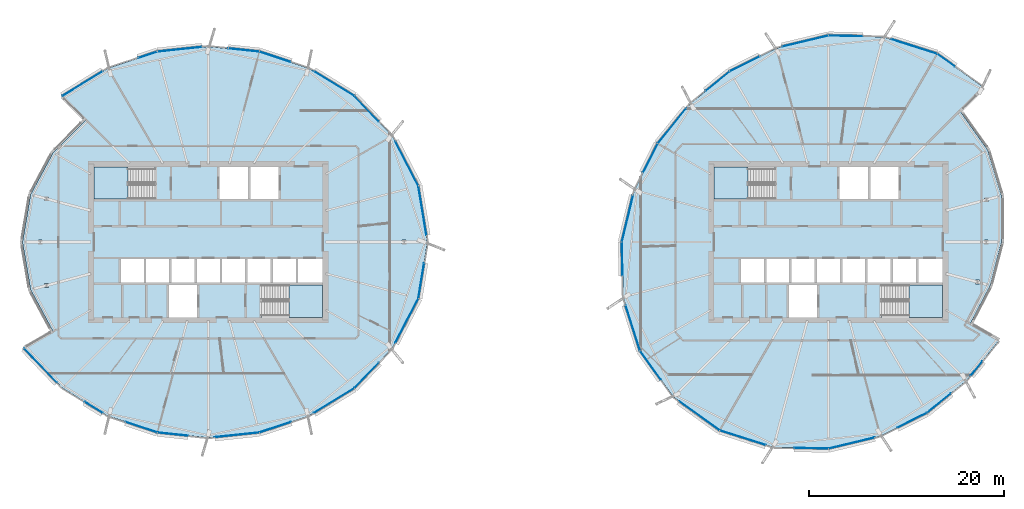
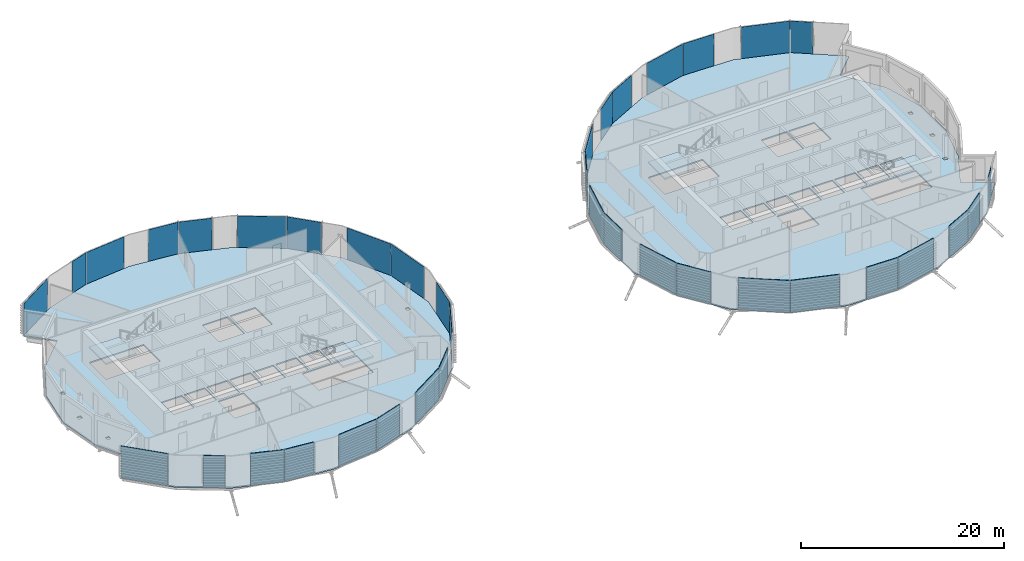
# One storey, part 18 of 37: 38 plates, 6 slabs, 6 elements without a shape of their own.
"""IFC4 building model written with IfcOpenShell, lengths in metres."""

import ifcopenshell
import ifcopenshell.guid

model = None  # the IFC model being written
_history = None  # IfcOwnerHistory: only IFC2X3 demands one
_inside = {}  # id of a spatial element -> (the spatial element, [elements in it])
_under = {}  # id of a project, library or spatial element -> (it, [spatial elements below it])
_declared = {}  # id of a project -> (the project, [libraries it declares])
_typed = {}  # id of a type object -> (the type object, [elements of that type])
_made_of = {}  # id of a material, layer set ... -> (it, [elements and type objects made of it])


def new_model(schema):
    """Start an empty IFC model of exactly this schema.

    Asked for "IFC4X3", IfcOpenShell would pick the latest addendum, in which some entities
    have other attributes; the version numbers below select the first issue.
    IFC2X3 requires an IfcOwnerHistory on every rooted entity: one is made here for all.
    """
    global model, _history
    if schema == "IFC4X3":
        model = ifcopenshell.file(schema_version=(4, 3, 0, 0))
    else:
        model = ifcopenshell.file(schema=schema)
    _inside.clear()
    _under.clear()
    _declared.clear()
    _typed.clear()
    _made_of.clear()
    _history = None
    if model.schema == "IFC2X3":
        org = make("IfcOrganization", Name="unknown")
        user = make(
            "IfcPersonAndOrganization",
            ThePerson=make("IfcPerson", FamilyName="unknown"),
            TheOrganization=org,
        )
        app = make(
            "IfcApplication",
            ApplicationDeveloper=org,
            Version="unknown",
            ApplicationFullName="unknown",
            ApplicationIdentifier="unknown",
        )
        _history = make(
            "IfcOwnerHistory",
            OwningUser=user,
            OwningApplication=app,
            ChangeAction="ADDED",
            CreationDate=0,
        )
    return model


def make(cls, **values):
    """One entity of the class cls with the attributes given. An attribute that is None is left unset."""
    return model.create_entity(
        cls, **{name: value for name, value in values.items() if value is not None}
    )


def rooted(cls, **values):
    """An entity with a GlobalId (a new one), such as an element, a storey or a relation."""
    return make(cls, GlobalId=ifcopenshell.guid.new(), OwnerHistory=_history, **values)


def si_unit(unit_type, name, prefix=None):
    """IfcSIUnit, for example si_unit("LENGTHUNIT", "METRE", prefix="MILLI")."""
    return make("IfcSIUnit", UnitType=unit_type, Prefix=prefix, Name=name)


def assignment(units):
    """IfcUnitAssignment: the units of a project."""
    return None if units is None else make("IfcUnitAssignment", Units=units)


def point(xyz):
    """IfcCartesianPoint."""
    return None if xyz is None else make("IfcCartesianPoint", Coordinates=xyz)


def direction(xyz):
    """IfcDirection."""
    return None if xyz is None else make("IfcDirection", DirectionRatios=xyz)


def frame(location, z_axis=None, x_axis=None):
    """IfcAxis2Placement3D, a coordinate frame: its origin and axes. An axis left out is left unset."""
    return make(
        "IfcAxis2Placement3D",
        Location=point(location),
        Axis=direction(z_axis),
        RefDirection=direction(x_axis),
    )


def frame_2d(location, x_axis=None):
    """IfcAxis2Placement2D, a coordinate frame in the plane: its origin and x axis."""
    return make(
        "IfcAxis2Placement2D", Location=point(location), RefDirection=direction(x_axis)
    )


def origin():
    """The frame at (0, 0, 0) with its axes left unset."""
    return frame((0.0, 0.0, 0.0))


def origin_2d():
    """The frame at (0, 0) in the plane with its x axis left unset."""
    return frame_2d((0.0, 0.0))


def place(relative_to, where):
    """IfcLocalPlacement: puts the frame where relative to a parent placement (None: the world)."""
    return make(
        "IfcLocalPlacement", PlacementRelTo=relative_to, RelativePlacement=where
    )


def context(
    kind, dimensions, precision=None, world=None, true_north=None, identifier=None
):
    """IfcGeometricRepresentationContext, for example the 3D "Model" context."""
    return make(
        "IfcGeometricRepresentationContext",
        ContextIdentifier=identifier,
        ContextType=kind,
        CoordinateSpaceDimension=dimensions,
        Precision=precision,
        WorldCoordinateSystem=world,
        TrueNorth=true_north,
    )


def subcontext(parent, identifier, kind, view, scale=None):
    """IfcGeometricRepresentationSubContext, for example "Body" below "Model"."""
    return make(
        "IfcGeometricRepresentationSubContext",
        ContextIdentifier=identifier,
        ContextType=kind,
        ParentContext=parent,
        TargetScale=scale,
        TargetView=view,
    )


def project(units=None, contexts=None):
    """IfcProject with its units and contexts."""
    return rooted(
        "IfcProject",
        Name="project",
        RepresentationContexts=contexts,
        UnitsInContext=assignment(units),
    )


def spatial(cls, under=None, at=None, **own):
    """A site, building, storey or space (cls), placed at a placement, below another one or the project."""
    s = rooted(cls, ObjectPlacement=at, **own)
    if under is not None:
        _under.setdefault(under.id(), (under, []))[1].append(s)
    return s


def polyline(points):
    """IfcPolyline through the points."""
    return make("IfcPolyline", Points=[point(p) for p in points])


def profile(cls, at=None, kind="AREA", **sizes):
    """A parametric profile (cls). Its sizes go by their IFC names, for example OverallWidth=200.0."""
    return make(cls, ProfileType=kind, Position=at, **sizes)


def rectangle(**sizes):
    """IfcRectangleProfileDef."""
    return profile("IfcRectangleProfileDef", **sizes)


def outline(outer, holes=None, kind="AREA"):
    """IfcArbitraryClosedProfileDef: a profile drawn as a closed curve; with holes, ...WithVoids."""
    if holes is None:
        return make("IfcArbitraryClosedProfileDef", ProfileType=kind, OuterCurve=outer)
    return make(
        "IfcArbitraryProfileDefWithVoids",
        ProfileType=kind,
        OuterCurve=outer,
        InnerCurves=holes,
    )


def extrude(swept, where, along, depth):
    """IfcExtrudedAreaSolid: the profile swept, set in the frame where, extruded along a direction by depth."""
    return make(
        "IfcExtrudedAreaSolid",
        SweptArea=swept,
        Position=where,
        ExtrudedDirection=direction(along),
        Depth=depth,
    )


def shape(context_of_items, identifier, shape_type, items):
    """IfcShapeRepresentation: the items that make up one representation, for example the "Body"."""
    return make(
        "IfcShapeRepresentation",
        ContextOfItems=context_of_items,
        RepresentationIdentifier=identifier,
        RepresentationType=shape_type,
        Items=items,
    )


def material(Name=None, Category=None):
    """IfcMaterial."""
    return make("IfcMaterial", Name=Name, Category=Category)


def layer(
    of_material, thickness, ventilated=None, Name=None, Category=None, Priority=None
):
    """IfcMaterialLayer: one layer of a wall or slab, of a material (None: an air gap)."""
    return make(
        "IfcMaterialLayer",
        Material=of_material,
        LayerThickness=thickness,
        IsVentilated=ventilated,
        Name=Name,
        Category=Category,
        Priority=Priority,
    )


def layer_set(layers, Name=None):
    """IfcMaterialLayerSet."""
    return make("IfcMaterialLayerSet", MaterialLayers=layers, LayerSetName=Name)


def made_of(thing, what):
    """Note that an element or type object is made of a material, layer set ...; save() writes the relation."""
    if what is not None:
        _made_of.setdefault(what.id(), (what, []))[1].append(thing)
    return thing


def type_object(cls, material=None, **own):
    """A type object (cls), such as IfcWallType, which elements share."""
    return made_of(rooted(cls, **own), material)


def element(
    cls,
    number,
    at=None,
    inside=None,
    cuts=None,
    type_object=None,
    material=None,
    context=None,
    identifier="Body",
    shape_type=None,
    held_by="IfcProductDefinitionShape",
    body=None,
    shapes=None,
    **own,
):
    """One element of the class cls, such as IfcWall. Its Tag is "e" and its number.

    at: its placement. inside: the storey or other place that contains it. cuts: it is an
    opening in that element (IfcRelVoidsElement). A single representation is given by context,
    identifier, shape_type and body (its items); several are given by shapes. held_by: the class
    of the entity that holds the representations. save() writes the other relations.
    """
    e = rooted(cls, Tag="e%d" % number, ObjectPlacement=at, **own)
    if body is not None:
        shapes = [shape(context, identifier, shape_type, body)]
    if shapes is not None:
        e.Representation = make(held_by, Representations=shapes)
    if inside is not None:
        _inside.setdefault(inside.id(), (inside, []))[1].append(e)
    if cuts is not None:
        rooted(
            "IfcRelVoidsElement", RelatingBuildingElement=cuts, RelatedOpeningElement=e
        )
    if type_object is not None:
        _typed.setdefault(type_object.id(), (type_object, []))[1].append(e)
    return made_of(e, material)


def aggregate(whole, parts):
    """IfcRelAggregates: a whole, such as a stair, and the parts it consists of."""
    return rooted("IfcRelAggregates", RelatingObject=whole, RelatedObjects=parts)


def save(model, path):
    """Write the relations noted so far, then the file.

    IfcRelAggregates (storeys below a building ...), IfcRelContainedInSpatialStructure (elements
    in a storey), IfcRelDefinesByType, IfcRelAssociatesMaterial and IfcRelDeclares: one each for
    every whole, place, type object, material and project.
    """
    for whole, parts in _under.values():
        aggregate(whole, parts)
    for where, things in _inside.values():
        rooted(
            "IfcRelContainedInSpatialStructure",
            RelatedElements=things,
            RelatingStructure=where,
        )
    for kind, things in _typed.values():
        rooted("IfcRelDefinesByType", RelatedObjects=things, RelatingType=kind)
    for what, things in _made_of.values():
        rooted("IfcRelAssociatesMaterial", RelatedObjects=things, RelatingMaterial=what)
    for by, libraries in _declared.values():
        rooted("IfcRelDeclares", RelatingContext=by, RelatedDefinitions=libraries)
    model.write(path)


model = new_model("IFC4")

# Units and contexts
model_context = context("Model", 3, precision=1e-05, world=origin(), true_north=direction((0.0, 1.0)))
body_context = subcontext(model_context, "Body", "Model", "MODEL_VIEW")
ifc_project = project(units=[si_unit("LENGTHUNIT", "METRE"), si_unit("AREAUNIT", "SQUARE_METRE"), si_unit("VOLUMEUNIT", "CUBIC_METRE"), si_unit("PLANEANGLEUNIT", "RADIAN"), si_unit("MASSUNIT", "GRAM", prefix="KILO")], contexts=[model_context])

# Site, building, storey
site_placement = place(None, origin())
site = spatial("IfcSite", under=ifc_project, at=site_placement, CompositionType="ELEMENT")
building_placement = place(site_placement, origin())
building = spatial("IfcBuilding", under=site, at=building_placement, Name="Rimbun Link Towers", CompositionType="ELEMENT")
storey_placement = place(building_placement, frame((0.0, 0.0, 162.699951171875)))
storey = spatial("IfcBuildingStorey", under=building, at=storey_placement, Name="L39", CompositionType="ELEMENT", Elevation=162.699951171875)

# Slabs
ifc_material_1 = material(Name="Concrete C35/45", Category="concrete")
ifc_layer_1 = layer(ifc_material_1, 0.14990234375)
ifc_layer_set_1 = layer_set([ifc_layer_1], Name="COMPOSITE FLOOR 150")
slab_type_1 = type_object("IfcSlabType", Name="COMPOSITE FLOOR 150", PredefinedType="FLOOR", material=ifc_layer_set_1)
slab_1_placement = place(storey_placement, frame((0.0, 0.0, -0.14990234375)))
element("IfcSlab", 1, at=slab_1_placement, inside=storey, type_object=slab_type_1, Name="Floor slab T1 L39", PredefinedType="FLOOR", context=body_context, shape_type="SweptSolid", body=[
    extrude(outline(polyline([(-42.030029296875, 17.8056640625), (-36.97021484375, 19.482421875), (-31.75, 20.031982421875), (-26.52978515625, 19.482421875), (-21.469970703125, 17.8056640625), (-16.807373046875, 14.942626953125), (-12.909912109375, 10.87744140625), (-10.2607421875, 5.758056640625), (-9.31396484375, 0.0), (-10.2607421875, -5.758056640625), (-12.909912109375, -10.87744140625), (-16.807373046875, -14.942626953125), (-21.469970703125, -17.8056640625), (-26.52978515625, -19.482421875), (-31.75, -20.031982421875), (-36.97021484375, -19.482421875), (-42.030029296875, -17.8056640625), (-46.692626953125, -14.942626953125), (-50.590087890625, -10.87744140625), (-47.645751953125, -9.177490234375), (-49.955078125, -4.8779296875), (-50.785888671875, 0.0), (-49.955078125, 4.8779296875), (-47.645751953125, 9.177490234375), (-44.28857421875, 12.53857421875), (-46.692626953125, 14.942626953125), (-42.030029296875, 17.8056640625)]), holes=[polyline([(-32.89990234375, -7.699951171875), (-32.89990234375, -4.39990234375), (-35.800048828125, -4.39990234375), (-35.800048828125, -7.699951171875), (-32.89990234375, -7.699951171875)]), polyline([(-48.118896484375, -4.63623046875), (-48.118896484375, -4.24267578125), (-48.517822265625, -4.24267578125), (-48.517822265625, -4.63623046875), (-48.118896484375, -4.63623046875)]), polyline([(-38.361083984375, -4.14990234375), (-38.361083984375, -1.75), (-40.70556640625, -1.75), (-40.70556640625, -4.14990234375), (-38.361083984375, -4.14990234375)]), polyline([(-35.7666015625, -4.14990234375), (-35.7666015625, -1.75), (-38.111083984375, -1.75), (-38.111083984375, -4.14990234375), (-35.7666015625, -4.14990234375)]), polyline([(-33.172119140625, -4.14990234375), (-33.172119140625, -1.75), (-35.5166015625, -1.75), (-35.5166015625, -4.14990234375), (-33.172119140625, -4.14990234375)]), polyline([(-30.577880859375, -4.14990234375), (-30.577880859375, -1.75), (-32.922119140625, -1.75), (-32.922119140625, -4.14990234375), (-30.577880859375, -4.14990234375)]), polyline([(-48.7646484375, -0.19677734375), (-48.7646484375, 0.19677734375), (-49.163818359375, 0.19677734375), (-49.163818359375, -0.19677734375), (-48.7646484375, -0.19677734375)]), polyline([(-48.118896484375, 4.24267578125), (-48.118896484375, 4.63623046875), (-48.517822265625, 4.63623046875), (-48.517822265625, 4.24267578125), (-48.118896484375, 4.24267578125)]), polyline([(-37.260009765625, 4.39990234375), (-37.260009765625, 7.699951171875), (-43.449951171875, 7.699951171875), (-43.449951171875, 4.39990234375), (-37.260009765625, 4.39990234375)]), polyline([(-20.050048828125, -7.699951171875), (-20.050048828125, -4.39990234375), (-26.239990234375, -4.39990234375), (-26.239990234375, -7.699951171875), (-20.050048828125, -7.699951171875)]), polyline([(-27.9833984375, -4.14990234375), (-27.9833984375, -1.75), (-30.327880859375, -1.75), (-30.327880859375, -4.14990234375), (-27.9833984375, -4.14990234375)]), polyline([(-25.388916015625, -4.14990234375), (-25.388916015625, -1.75), (-27.7333984375, -1.75), (-27.7333984375, -4.14990234375), (-25.388916015625, -4.14990234375)]), polyline([(-22.79443359375, -4.14990234375), (-22.79443359375, -1.75), (-25.138916015625, -1.75), (-25.138916015625, -4.14990234375), (-22.79443359375, -4.14990234375)]), polyline([(-20.050048828125, -4.14990234375), (-20.050048828125, -1.75), (-22.54443359375, -1.75), (-22.54443359375, -4.14990234375), (-20.050048828125, -4.14990234375)]), polyline([(-11.492919921875, -0.19677734375), (-11.492919921875, 0.19677734375), (-11.891845703125, 0.19677734375), (-11.891845703125, -0.19677734375), (-11.492919921875, -0.19677734375)]), polyline([(-30.60009765625, 4.39990234375), (-27.699951171875, 4.39990234375), (-27.699951171875, 7.699951171875), (-30.60009765625, 7.699951171875), (-30.60009765625, 4.39990234375)]), polyline([(-27.449951171875, 4.39990234375), (-24.550048828125, 4.39990234375), (-24.550048828125, 7.699951171875), (-27.449951171875, 7.699951171875), (-27.449951171875, 4.39990234375)])]), origin(), (0.0, 0.0, 1.0), 0.14990234375),
])
slab_2_placement = place(storey_placement, frame((0.0, 0.0, -0.14990234375)))
element("IfcSlab", 2, at=slab_2_placement, inside=storey, type_object=slab_type_1, Name="Floor slab T2 L39", PredefinedType="FLOOR", context=body_context, shape_type="SweptSolid", body=[
    extrude(outline(polyline([(45.914794921875, -14.164794921875), (41.834716796875, -17.46728515625), (37.0712890625, -19.859619140625), (31.75, -21.132080078125), (26.119384765625, -21.013671875), (20.62646484375, -19.2666015625), (15.885498046875, -15.864501953125), (12.4833984375, -11.12353515625), (10.736328125, -5.630615234375), (10.617919921875, 0.0), (11.890380859375, 5.3212890625), (14.28271484375, 10.084716796875), (17.585205078125, 14.164794921875), (21.665283203125, 17.46728515625), (26.4287109375, 19.859619140625), (31.75, 21.132080078125), (37.380615234375, 21.013671875), (42.87353515625, 19.2666015625), (47.614501953125, 15.864501953125), (45.21044921875, 13.46044921875), (48.072265625, 9.423583984375), (49.4794921875, 4.75048828125), (49.482177734375, 0.0), (48.325439453125, -4.44140625), (46.27294921875, -8.384765625), (49.21728515625, -10.084716796875), (45.914794921875, -14.164794921875)]), holes=[polyline([(30.60009765625, -7.699951171875), (30.60009765625, -4.39990234375), (27.699951171875, -4.39990234375), (27.699951171875, -7.699951171875), (30.60009765625, -7.699951171875)]), polyline([(25.138916015625, -4.14990234375), (25.138916015625, -1.75), (22.79443359375, -1.75), (22.79443359375, -4.14990234375), (25.138916015625, -4.14990234375)]), polyline([(27.7333984375, -4.14990234375), (27.7333984375, -1.75), (25.388916015625, -1.75), (25.388916015625, -4.14990234375), (27.7333984375, -4.14990234375)]), polyline([(30.327880859375, -4.14990234375), (30.327880859375, -1.75), (27.9833984375, -1.75), (27.9833984375, -4.14990234375), (30.327880859375, -4.14990234375)]), polyline([(32.922119140625, -4.14990234375), (32.922119140625, -1.75), (30.577880859375, -1.75), (30.577880859375, -4.14990234375), (32.922119140625, -4.14990234375)]), polyline([(35.5166015625, -4.14990234375), (35.5166015625, -1.75), (33.172119140625, -1.75), (33.172119140625, -4.14990234375), (35.5166015625, -4.14990234375)]), polyline([(26.239990234375, 4.39990234375), (26.239990234375, 7.699951171875), (20.050048828125, 7.699951171875), (20.050048828125, 4.39990234375), (26.239990234375, 4.39990234375)]), polyline([(35.800048828125, 4.39990234375), (35.800048828125, 7.699951171875), (32.89990234375, 7.699951171875), (32.89990234375, 4.39990234375), (35.800048828125, 4.39990234375)]), polyline([(43.449951171875, -7.699951171875), (43.449951171875, -4.39990234375), (37.260009765625, -4.39990234375), (37.260009765625, -7.699951171875), (43.449951171875, -7.699951171875)]), polyline([(47.214599609375, -4.287109375), (47.214599609375, -3.8935546875), (46.815673828125, -3.8935546875), (46.815673828125, -4.287109375), (47.214599609375, -4.287109375)]), polyline([(38.111083984375, -4.14990234375), (38.111083984375, -1.75), (35.7666015625, -1.75), (35.7666015625, -4.14990234375), (38.111083984375, -4.14990234375)]), polyline([(40.70556640625, -4.14990234375), (40.70556640625, -1.75), (38.361083984375, -1.75), (38.361083984375, -4.14990234375), (40.70556640625, -4.14990234375)]), polyline([(43.449951171875, -4.14990234375), (43.449951171875, -1.75), (40.95556640625, -1.75), (40.95556640625, -4.14990234375), (43.449951171875, -4.14990234375)]), polyline([(48.1162109375, -0.19677734375), (48.1162109375, 0.19677734375), (47.71728515625, 0.19677734375), (47.71728515625, -0.19677734375), (48.1162109375, -0.19677734375)]), polyline([(48.135498046875, 4.140380859375), (48.135498046875, 4.533935546875), (47.736572265625, 4.533935546875), (47.736572265625, 4.140380859375), (48.135498046875, 4.140380859375)]), polyline([(38.949951171875, 4.39990234375), (38.949951171875, 7.699951171875), (36.050048828125, 7.699951171875), (36.050048828125, 4.39990234375), (38.949951171875, 4.39990234375)])]), origin(), (0.0, 0.0, 1.0), 0.14990234375),
])

# Curtain wall, plates
ifc_material_2 = material(Name="Aluminium 6063-T6 and low-iron glass", Category="aluminium")
curtain_wall_type = type_object("IfcCurtainWallType", Name="CW1-Z3 unitised vision wall (zone 3)", PredefinedType="NOTDEFINED", material=ifc_material_2)
curtain_wall_1_placement = place(storey_placement, origin())
curtain_wall_1 = element("IfcCurtainWall", 3, at=curtain_wall_1_placement, inside=storey, type_object=curtain_wall_type, Name="CW1 L39 T1", PredefinedType="NOTDEFINED")
ifc_material_3 = material(Name="Low-iron glass, laminated low-e unit", Category="glass")
ifc_layer_2 = layer(ifc_material_3, 0.028076171875)
ifc_layer_set_2 = layer_set([ifc_layer_2], Name="CW1 panel Low-iron glass 28")
plate_type = type_object("IfcPlateType", Name="CW1 panel Low-iron glass 28", PredefinedType="CURTAIN_PANEL", material=ifc_layer_set_2)
plate_1_placement = place(storey_placement, frame((-9.830322265625, 3.2265625, 0.0), z_axis=(0.0, 0.0, 1.0), x_axis=(0.162253229824, -0.986749152222, 0.0)))
plate_1 = element("IfcPlate", 4, at=plate_1_placement, type_object=plate_type, Name="CW1 panel", PredefinedType="CURTAIN_PANEL", context=body_context, shape_type="SweptSolid", body=[
    extrude(rectangle(XDim=5.09521484375, YDim=0.028076171875, at=origin_2d()), origin(), (0.0, 0.0, 1.0), 3.800048828125),
])
plate_2_placement = place(storey_placement, frame((-11.43505859375, 8.0576171875, 0.0), z_axis=(0.0, 0.0, 1.0), x_axis=(0.459564501078, -0.888144396677, 0.0)))
plate_2 = element("IfcPlate", 5, at=plate_2_placement, type_object=plate_type, Name="CW1 panel", PredefinedType="CURTAIN_PANEL", context=body_context, shape_type="SweptSolid", body=[
    extrude(rectangle(XDim=5.124267578125, YDim=0.028076171875, at=origin_2d()), origin(), (0.0, 0.0, 1.0), 3.800048828125),
])
plate_3_placement = place(storey_placement, frame((-15.54052734375, 13.6416015625, 0.0), z_axis=(0.0, 0.0, 1.0), x_axis=(0.692052284405, -0.721847376977, 0.0)))
plate_3 = element("IfcPlate", 6, at=plate_3_placement, type_object=plate_type, Name="CW1 panel", PredefinedType="CURTAIN_PANEL", context=body_context, shape_type="SweptSolid", body=[
    extrude(rectangle(XDim=3.591796875, YDim=0.028076171875, at=origin_2d()), origin(), (0.0, 0.0, 1.0), 3.800048828125),
])
plate_4_placement = place(storey_placement, frame((-18.875732421875, 16.22900390625, 0.0), z_axis=(0.0, 0.0, 1.0), x_axis=(0.85217937547, -0.523249760653, 0.0)))
plate_4 = element("IfcPlate", 7, at=plate_4_placement, type_object=plate_type, Name="CW1 panel", PredefinedType="CURTAIN_PANEL", context=body_context, shape_type="SweptSolid", body=[
    extrude(rectangle(XDim=4.831298828125, YDim=0.028076171875, at=origin_2d()), origin(), (0.0, 0.0, 1.0), 3.800048828125),
])
plate_5_placement = place(storey_placement, frame((-24.897216796875, 18.9560546875, 0.0), z_axis=(0.0, 0.0, 1.0), x_axis=(0.949239009489, -0.314555722988, 0.0)))
plate_5 = element("IfcPlate", 8, at=plate_5_placement, type_object=plate_type, Name="CW1 panel", PredefinedType="CURTAIN_PANEL", context=body_context, shape_type="SweptSolid", body=[
    extrude(rectangle(XDim=3.390380859375, YDim=0.028076171875, at=origin_2d()), origin(), (0.0, 0.0, 1.0), 3.800048828125),
])
plate_6_placement = place(storey_placement, frame((-28.119140625, 19.663818359375, 0.0), z_axis=(0.0, 0.0, 1.0), x_axis=(0.994499605701, -0.104740318219, 0.0)))
plate_6 = element("IfcPlate", 9, at=plate_6_placement, type_object=plate_type, Name="CW1 panel", PredefinedType="CURTAIN_PANEL", context=body_context, shape_type="SweptSolid", body=[
    extrude(rectangle(XDim=3.1591796875, YDim=0.028076171875, at=origin_2d()), origin(), (0.0, 0.0, 1.0), 3.800048828125),
])
plate_7_placement = place(storey_placement, frame((-34.684814453125, 19.737060546875, 0.0), z_axis=(0.0, 0.0, 1.0), x_axis=(0.994499605701, 0.104740318219, 0.0)))
plate_7 = element("IfcPlate", 10, at=plate_7_placement, type_object=plate_type, Name="CW1 panel", PredefinedType="CURTAIN_PANEL", context=body_context, shape_type="SweptSolid", body=[
    extrude(rectangle(XDim=4.55908203125, YDim=0.028076171875, at=origin_2d()), origin(), (0.0, 0.0, 1.0), 3.800048828125),
])
plate_8_placement = place(storey_placement, frame((-37.962158203125, 19.16845703125, 0.0), z_axis=(0.0, 0.0, 1.0), x_axis=(0.949239009489, 0.314555722988, 0.0)))
plate_8 = element("IfcPlate", 11, at=plate_8_placement, type_object=plate_type, Name="CW1 panel", PredefinedType="CURTAIN_PANEL", context=body_context, shape_type="SweptSolid", body=[
    extrude(rectangle(XDim=2.040283203125, YDim=0.028076171875, at=origin_2d()), origin(), (0.0, 0.0, 1.0), 3.800048828125),
])
plate_9_placement = place(storey_placement, frame((-44.624267578125, 16.22900390625, 0.0), z_axis=(0.0, 0.0, 1.0), x_axis=(0.85217937547, 0.523249760653, 0.0)))
plate_9 = element("IfcPlate", 12, at=plate_9_placement, type_object=plate_type, Name="CW1 panel", PredefinedType="CURTAIN_PANEL", context=body_context, shape_type="SweptSolid", body=[
    extrude(rectangle(XDim=4.831298828125, YDim=0.028076171875, at=origin_2d()), origin(), (0.0, 0.0, 1.0), 3.800048828125),
])
plate_10_placement = place(storey_placement, frame((-48.9111328125, -12.64892578125, 0.0), z_axis=(0.0, 0.0, 1.0), x_axis=(-0.692052284405, 0.721847376977, 0.0)))
plate_10 = element("IfcPlate", 13, at=plate_10_placement, type_object=plate_type, Name="CW1 panel", PredefinedType="CURTAIN_PANEL", context=body_context, shape_type="SweptSolid", body=[
    extrude(rectangle(XDim=4.841796875, YDim=0.028076171875, at=origin_2d()), origin(), (0.0, 0.0, 1.0), 3.800048828125),
])
plate_11_placement = place(storey_placement, frame((-43.473876953125, -16.935546875, 0.0), z_axis=(0.0, 0.0, 1.0), x_axis=(-0.85217937547, 0.523249760653, 0.0)))
plate_11 = element("IfcPlate", 14, at=plate_11_placement, type_object=plate_type, Name="CW1 panel", PredefinedType="CURTAIN_PANEL", context=body_context, shape_type="SweptSolid", body=[
    extrude(rectangle(XDim=2.13134765625, YDim=0.028076171875, at=origin_2d()), origin(), (0.0, 0.0, 1.0), 3.800048828125),
])
plate_12_placement = place(storey_placement, frame((-38.602783203125, -18.9560546875, 0.0), z_axis=(0.0, 0.0, 1.0), x_axis=(-0.949239009489, 0.314555722988, 0.0)))
plate_12 = element("IfcPlate", 15, at=plate_12_placement, type_object=plate_type, Name="CW1 panel", PredefinedType="CURTAIN_PANEL", context=body_context, shape_type="SweptSolid", body=[
    extrude(rectangle(XDim=3.390380859375, YDim=0.028076171875, at=origin_2d()), origin(), (0.0, 0.0, 1.0), 3.800048828125),
])
plate_13_placement = place(storey_placement, frame((-35.380859375, -19.663818359375, 0.0), z_axis=(0.0, 0.0, 1.0), x_axis=(-0.994499605701, 0.104740318219, 0.0)))
plate_13 = element("IfcPlate", 16, at=plate_13_placement, type_object=plate_type, Name="CW1 panel", PredefinedType="CURTAIN_PANEL", context=body_context, shape_type="SweptSolid", body=[
    extrude(rectangle(XDim=3.1591796875, YDim=0.028076171875, at=origin_2d()), origin(), (0.0, 0.0, 1.0), 3.800048828125),
])
plate_14_placement = place(storey_placement, frame((-28.815185546875, -19.737060546875, 0.0), z_axis=(0.0, 0.0, 1.0), x_axis=(-0.994499605701, -0.104740318219, 0.0)))
plate_14 = element("IfcPlate", 17, at=plate_14_placement, type_object=plate_type, Name="CW1 panel", PredefinedType="CURTAIN_PANEL", context=body_context, shape_type="SweptSolid", body=[
    extrude(rectangle(XDim=4.55908203125, YDim=0.028076171875, at=origin_2d()), origin(), (0.0, 0.0, 1.0), 3.800048828125),
])
plate_15_placement = place(storey_placement, frame((-24.897216796875, -18.9560546875, 0.0), z_axis=(0.0, 0.0, 1.0), x_axis=(-0.949239009489, -0.314555722988, 0.0)))
plate_15 = element("IfcPlate", 18, at=plate_15_placement, type_object=plate_type, Name="CW1 panel", PredefinedType="CURTAIN_PANEL", context=body_context, shape_type="SweptSolid", body=[
    extrude(rectangle(XDim=3.390380859375, YDim=0.028076171875, at=origin_2d()), origin(), (0.0, 0.0, 1.0), 3.800048828125),
])
plate_16_placement = place(storey_placement, frame((-18.875732421875, -16.22900390625, 0.0), z_axis=(0.0, 0.0, 1.0), x_axis=(-0.85217937547, -0.523249760653, 0.0)))
plate_16 = element("IfcPlate", 19, at=plate_16_placement, type_object=plate_type, Name="CW1 panel", PredefinedType="CURTAIN_PANEL", context=body_context, shape_type="SweptSolid", body=[
    extrude(rectangle(XDim=4.831298828125, YDim=0.028076171875, at=origin_2d()), origin(), (0.0, 0.0, 1.0), 3.800048828125),
])
plate_17_placement = place(storey_placement, frame((-15.54052734375, -13.6416015625, 0.0), z_axis=(0.0, 0.0, 1.0), x_axis=(-0.692052284405, -0.721847376977, 0.0)))
plate_17 = element("IfcPlate", 20, at=plate_17_placement, type_object=plate_type, Name="CW1 panel", PredefinedType="CURTAIN_PANEL", context=body_context, shape_type="SweptSolid", body=[
    extrude(rectangle(XDim=3.591796875, YDim=0.028076171875, at=origin_2d()), origin(), (0.0, 0.0, 1.0), 3.800048828125),
])
plate_18_placement = place(storey_placement, frame((-11.43505859375, -8.0576171875, 0.0), z_axis=(0.0, 0.0, 1.0), x_axis=(-0.459564501078, -0.888144396677, 0.0)))
plate_18 = element("IfcPlate", 21, at=plate_18_placement, type_object=plate_type, Name="CW1 panel", PredefinedType="CURTAIN_PANEL", context=body_context, shape_type="SweptSolid", body=[
    extrude(rectangle(XDim=5.124267578125, YDim=0.028076171875, at=origin_2d()), origin(), (0.0, 0.0, 1.0), 3.800048828125),
])
plate_19_placement = place(storey_placement, frame((-9.947998046875, -3.942138671875, 0.0), z_axis=(0.0, 0.0, 1.0), x_axis=(-0.162253229824, -0.986749152222, 0.0)))
plate_19 = element("IfcPlate", 22, at=plate_19_placement, type_object=plate_type, Name="CW1 panel", PredefinedType="CURTAIN_PANEL", context=body_context, shape_type="SweptSolid", body=[
    extrude(rectangle(XDim=3.645263671875, YDim=0.028076171875, at=origin_2d()), origin(), (0.0, 0.0, 1.0), 3.800048828125),
])
aggregate(curtain_wall_1, [plate_1, plate_2, plate_3, plate_4, plate_5, plate_6, plate_7, plate_8, plate_9, plate_10, plate_11, plate_12, plate_13, plate_14, plate_15, plate_16, plate_17, plate_18, plate_19])

curtain_wall_2_placement = place(storey_placement, origin())
curtain_wall_2 = element("IfcCurtainWall", 23, at=curtain_wall_2_placement, inside=storey, type_object=curtain_wall_type, Name="CW1 L39 T2", PredefinedType="NOTDEFINED")
plate_20_placement = place(storey_placement, frame((43.81005859375, 18.61181640625, 0.0), z_axis=(0.0, 0.0, 1.0), x_axis=(0.812469429261, -0.583003796314, 0.0)))
plate_20 = element("IfcPlate", 24, at=plate_20_placement, type_object=plate_type, Name="CW1 panel", PredefinedType="CURTAIN_PANEL", context=body_context, shape_type="SweptSolid", body=[
    extrude(rectangle(XDim=2.245361328125, YDim=0.028076171875, at=origin_2d()), origin(), (0.0, 0.0, 1.0), 3.800048828125),
])
plate_21_placement = place(storey_placement, frame((40.512451171875, 20.0322265625, 0.0), z_axis=(0.0, 0.0, 1.0), x_axis=(0.952964505749, -0.303081920912, 0.0)))
plate_21 = element("IfcPlate", 25, at=plate_21_placement, type_object=plate_type, Name="CW1 panel", PredefinedType="CURTAIN_PANEL", context=body_context, shape_type="SweptSolid", body=[
    extrude(rectangle(XDim=4.924072265625, YDim=0.028076171875, at=origin_2d()), origin(), (0.0, 0.0, 1.0), 3.800048828125),
])
plate_22_placement = place(storey_placement, frame((33.515869140625, 21.10888671875, 0.0), z_axis=(0.0, 0.0, 1.0), x_axis=(0.999778238808, -0.021058803518, 0.0)))
plate_22 = element("IfcPlate", 26, at=plate_22_placement, type_object=plate_type, Name="CW1 panel", PredefinedType="CURTAIN_PANEL", context=body_context, shape_type="SweptSolid", body=[
    extrude(rectangle(XDim=3.491943359375, YDim=0.028076171875, at=origin_2d()), origin(), (0.0, 0.0, 1.0), 3.800048828125),
])
plate_23_placement = place(storey_placement, frame((29.3779296875, 20.579345703125, 0.0), z_axis=(0.0, 0.0, 1.0), x_axis=(0.972569993504, 0.232610420521, 0.0)))
plate_23 = element("IfcPlate", 27, at=plate_23_placement, type_object=plate_type, Name="CW1 panel", PredefinedType="CURTAIN_PANEL", context=body_context, shape_type="SweptSolid", body=[
    extrude(rectangle(XDim=4.831298828125, YDim=0.028076171875, at=origin_2d()), origin(), (0.0, 0.0, 1.0), 3.800048828125),
])
plate_24_placement = place(storey_placement, frame((23.191650390625, 18.24951171875, 0.0), z_axis=(0.0, 0.0, 1.0), x_axis=(0.893649163744, 0.448766277854, 0.0)))
plate_24 = element("IfcPlate", 28, at=plate_24_placement, type_object=plate_type, Name="CW1 panel", PredefinedType="CURTAIN_PANEL", context=body_context, shape_type="SweptSolid", body=[
    extrude(rectangle(XDim=3.390380859375, YDim=0.028076171875, at=origin_2d()), origin(), (0.0, 0.0, 1.0), 3.800048828125),
])
plate_25_placement = place(storey_placement, frame((20.4130859375, 16.471923828125, 0.0), z_axis=(0.0, 0.0, 1.0), x_axis=(0.777268827061, 0.629168634373, 0.0)))
plate_25 = element("IfcPlate", 29, at=plate_25_placement, type_object=plate_type, Name="CW1 panel", PredefinedType="CURTAIN_PANEL", context=body_context, shape_type="SweptSolid", body=[
    extrude(rectangle(XDim=3.1591796875, YDim=0.028076171875, at=origin_2d()), origin(), (0.0, 0.0, 1.0), 3.800048828125),
])
plate_26_placement = place(storey_placement, frame((15.734375, 11.900390625, 0.0), z_axis=(0.0, 0.0, 1.0), x_axis=(0.629168634373, 0.777268827061, 0.0)))
plate_26 = element("IfcPlate", 30, at=plate_26_placement, type_object=plate_type, Name="CW1 panel", PredefinedType="CURTAIN_PANEL", context=body_context, shape_type="SweptSolid", body=[
    extrude(rectangle(XDim=4.609130859375, YDim=0.028076171875, at=origin_2d()), origin(), (0.0, 0.0, 1.0), 3.800048828125),
])
plate_27_placement = place(storey_placement, frame((13.511474609375, 8.58056640625, 0.0), z_axis=(0.0, 0.0, 1.0), x_axis=(0.448766277854, 0.893649163744, 0.0)))
plate_27 = element("IfcPlate", 31, at=plate_27_placement, type_object=plate_type, Name="CW1 panel", PredefinedType="CURTAIN_PANEL", context=body_context, shape_type="SweptSolid", body=[
    extrude(rectangle(XDim=3.34033203125, YDim=0.028076171875, at=origin_2d()), origin(), (0.0, 0.0, 1.0), 3.800048828125),
])
plate_28_placement = place(storey_placement, frame((11.176513671875, 2.396484375, 0.0), z_axis=(0.0, 0.0, 1.0), x_axis=(0.232610420521, 0.972569993504, 0.0)))
plate_28 = element("IfcPlate", 32, at=plate_28_placement, type_object=plate_type, Name="CW1 panel", PredefinedType="CURTAIN_PANEL", context=body_context, shape_type="SweptSolid", body=[
    extrude(rectangle(XDim=4.88134765625, YDim=0.028076171875, at=origin_2d()), origin(), (0.0, 0.0, 1.0), 3.800048828125),
])
plate_29_placement = place(storey_placement, frame((10.640380859375, -1.74072265625, 0.0), z_axis=(0.0, 0.0, 1.0), x_axis=(-0.021058803518, 0.999778238808, 0.0)))
plate_29 = element("IfcPlate", 33, at=plate_29_placement, type_object=plate_type, Name="CW1 panel", PredefinedType="CURTAIN_PANEL", context=body_context, shape_type="SweptSolid", body=[
    extrude(rectangle(XDim=3.44189453125, YDim=0.028076171875, at=origin_2d()), origin(), (0.0, 0.0, 1.0), 3.800048828125),
])
plate_30_placement = place(storey_placement, frame((11.725341796875, -8.786376953125, 0.0), z_axis=(0.0, 0.0, 1.0), x_axis=(-0.303081920912, 0.952964505749, 0.0)))
plate_30 = element("IfcPlate", 34, at=plate_30_placement, type_object=plate_type, Name="CW1 panel", PredefinedType="CURTAIN_PANEL", context=body_context, shape_type="SweptSolid", body=[
    extrude(rectangle(XDim=4.8740234375, YDim=0.028076171875, at=origin_2d()), origin(), (0.0, 0.0, 1.0), 3.800048828125),
])
plate_31_placement = place(storey_placement, frame((13.54638671875, -12.62890625, 0.0), z_axis=(0.0, 0.0, 1.0), x_axis=(-0.583003796314, 0.812469429261, 0.0)))
plate_31 = element("IfcPlate", 35, at=plate_31_placement, type_object=plate_type, Name="CW1 panel", PredefinedType="CURTAIN_PANEL", context=body_context, shape_type="SweptSolid", body=[
    extrude(rectangle(XDim=3.645263671875, YDim=0.028076171875, at=origin_2d()), origin(), (0.0, 0.0, 1.0), 3.800048828125),
])
plate_32_placement = place(storey_placement, frame((18.531982421875, -17.781005859375, 0.0), z_axis=(0.0, 0.0, 1.0), x_axis=(-0.812469429261, 0.583003796314, 0.0)))
plate_32 = element("IfcPlate", 36, at=plate_32_placement, type_object=plate_type, Name="CW1 panel", PredefinedType="CURTAIN_PANEL", context=body_context, shape_type="SweptSolid", body=[
    extrude(rectangle(XDim=5.09521484375, YDim=0.028076171875, at=origin_2d()), origin(), (0.0, 0.0, 1.0), 3.800048828125),
])
plate_33_placement = place(storey_placement, frame((22.987548828125, -20.0322265625, 0.0), z_axis=(0.0, 0.0, 1.0), x_axis=(-0.952964505749, 0.303081920912, 0.0)))
plate_33 = element("IfcPlate", 37, at=plate_33_placement, type_object=plate_type, Name="CW1 panel", PredefinedType="CURTAIN_PANEL", context=body_context, shape_type="SweptSolid", body=[
    extrude(rectangle(XDim=4.924072265625, YDim=0.028076171875, at=origin_2d()), origin(), (0.0, 0.0, 1.0), 3.800048828125),
])
plate_34_placement = place(storey_placement, frame((29.984130859375, -21.10888671875, 0.0), z_axis=(0.0, 0.0, 1.0), x_axis=(-0.999778238808, 0.021058803518, 0.0)))
plate_34 = element("IfcPlate", 38, at=plate_34_placement, type_object=plate_type, Name="CW1 panel", PredefinedType="CURTAIN_PANEL", context=body_context, shape_type="SweptSolid", body=[
    extrude(rectangle(XDim=3.491943359375, YDim=0.028076171875, at=origin_2d()), origin(), (0.0, 0.0, 1.0), 3.800048828125),
])
plate_35_placement = place(storey_placement, frame((34.1220703125, -20.579345703125, 0.0), z_axis=(0.0, 0.0, 1.0), x_axis=(-0.972569993504, -0.232610420521, 0.0)))
plate_35 = element("IfcPlate", 39, at=plate_35_placement, type_object=plate_type, Name="CW1 panel", PredefinedType="CURTAIN_PANEL", context=body_context, shape_type="SweptSolid", body=[
    extrude(rectangle(XDim=4.831298828125, YDim=0.028076171875, at=origin_2d()), origin(), (0.0, 0.0, 1.0), 3.800048828125),
])
plate_36_placement = place(storey_placement, frame((40.308349609375, -18.24951171875, 0.0), z_axis=(0.0, 0.0, 1.0), x_axis=(-0.893649163744, -0.448766277854, 0.0)))
plate_36 = element("IfcPlate", 40, at=plate_36_placement, type_object=plate_type, Name="CW1 panel", PredefinedType="CURTAIN_PANEL", context=body_context, shape_type="SweptSolid", body=[
    extrude(rectangle(XDim=3.390380859375, YDim=0.028076171875, at=origin_2d()), origin(), (0.0, 0.0, 1.0), 3.800048828125),
])
plate_37_placement = place(storey_placement, frame((43.0673828125, -16.487548828125, 0.0), z_axis=(0.0, 0.0, 1.0), x_axis=(-0.777268827061, -0.629168634373, 0.0)))
plate_37 = element("IfcPlate", 41, at=plate_37_placement, type_object=plate_type, Name="CW1 panel", PredefinedType="CURTAIN_PANEL", context=body_context, shape_type="SweptSolid", body=[
    extrude(rectangle(XDim=3.109130859375, YDim=0.028076171875, at=origin_2d()), origin(), (0.0, 0.0, 1.0), 3.800048828125),
])
plate_38_placement = place(storey_placement, frame((46.93212890625, -12.930419921875, 0.0), z_axis=(0.0, 0.0, 1.0), x_axis=(-0.629168634373, -0.777268827061, 0.0)))
plate_38 = element("IfcPlate", 42, at=plate_38_placement, type_object=plate_type, Name="CW1 panel", PredefinedType="CURTAIN_PANEL", context=body_context, shape_type="SweptSolid", body=[
    extrude(rectangle(XDim=1.859130859375, YDim=0.028076171875, at=origin_2d()), origin(), (0.0, 0.0, 1.0), 3.800048828125),
])
aggregate(curtain_wall_2, [plate_20, plate_21, plate_22, plate_23, plate_24, plate_25, plate_26, plate_27, plate_28, plate_29, plate_30, plate_31, plate_32, plate_33, plate_34, plate_35, plate_36, plate_37, plate_38])

# Stair, slab
ifc_material_4 = material(Name="Concrete C40/50", Category="concrete")
stair_type = type_object("IfcStairType", Name="Exit stair 3800 rise", PredefinedType="HALF_TURN_STAIR", material=ifc_material_4)
stair_1_placement = place(storey_placement, origin())
stair_1 = element("IfcStair", 43, at=stair_1_placement, inside=storey, type_object=stair_type, Name="L39 EXIT STAIR A", PredefinedType="HALF_TURN_STAIR")
ifc_material_5 = material(Name="Concrete C40/50", Category="concrete")
ifc_layer_3 = layer(ifc_material_5, 0.199951171875)
ifc_layer_set_3 = layer_set([ifc_layer_3], Name="Stair landing")
slab_type_2 = type_object("IfcSlabType", Name="Stair landing", PredefinedType="LANDING", material=ifc_layer_set_3)
slab_3_placement = place(storey_placement, frame((0.0, 0.0, 1.699951171875)))
slab_3 = element("IfcSlab", 44, at=slab_3_placement, type_object=slab_type_2, Name="ST1 landing 1", PredefinedType="LANDING", context=body_context, shape_type="SweptSolid", body=[
    extrude(outline(polyline([(-40.0, 7.699951171875), (-43.449951171875, 7.699951171875), (-43.449951171875, 4.39990234375), (-40.0, 4.39990234375), (-40.0, 7.699951171875)])), origin(), (0.0, 0.0, 1.0), 0.2001953125),
])
aggregate(stair_1, [slab_3])

stair_2_placement = place(storey_placement, origin())
stair_2 = element("IfcStair", 45, at=stair_2_placement, inside=storey, type_object=stair_type, Name="L39 EXIT STAIR B", PredefinedType="HALF_TURN_STAIR")
slab_4_placement = place(storey_placement, frame((0.0, 0.0, 1.699951171875)))
slab_4 = element("IfcSlab", 46, at=slab_4_placement, type_object=slab_type_2, Name="ST2 landing 1", PredefinedType="LANDING", context=body_context, shape_type="SweptSolid", body=[
    extrude(outline(polyline([(-23.5, -7.699951171875), (-20.050048828125, -7.699951171875), (-20.050048828125, -4.39990234375), (-23.5, -4.39990234375), (-23.5, -7.699951171875)])), origin(), (0.0, 0.0, 1.0), 0.2001953125),
])
aggregate(stair_2, [slab_4])

stair_3_placement = place(storey_placement, origin())
stair_3 = element("IfcStair", 47, at=stair_3_placement, inside=storey, type_object=stair_type, Name="L39 EXIT STAIR A", PredefinedType="HALF_TURN_STAIR")
slab_5_placement = place(storey_placement, frame((0.0, 0.0, 1.699951171875)))
slab_5 = element("IfcSlab", 48, at=slab_5_placement, type_object=slab_type_2, Name="ST3 landing 1", PredefinedType="LANDING", context=body_context, shape_type="SweptSolid", body=[
    extrude(outline(polyline([(23.5, 7.699951171875), (20.050048828125, 7.699951171875), (20.050048828125, 4.39990234375), (23.5, 4.39990234375), (23.5, 7.699951171875)])), origin(), (0.0, 0.0, 1.0), 0.2001953125),
])
aggregate(stair_3, [slab_5])

stair_4_placement = place(storey_placement, origin())
stair_4 = element("IfcStair", 49, at=stair_4_placement, inside=storey, type_object=stair_type, Name="L39 EXIT STAIR B", PredefinedType="HALF_TURN_STAIR")
slab_6_placement = place(storey_placement, frame((0.0, 0.0, 1.699951171875)))
slab_6 = element("IfcSlab", 50, at=slab_6_placement, type_object=slab_type_2, Name="ST4 landing 1", PredefinedType="LANDING", context=body_context, shape_type="SweptSolid", body=[
    extrude(outline(polyline([(40.0, -7.699951171875), (43.449951171875, -7.699951171875), (43.449951171875, -4.39990234375), (40.0, -4.39990234375), (40.0, -7.699951171875)])), origin(), (0.0, 0.0, 1.0), 0.2001953125),
])
aggregate(stair_4, [slab_6])

save(model, "model.ifc")
